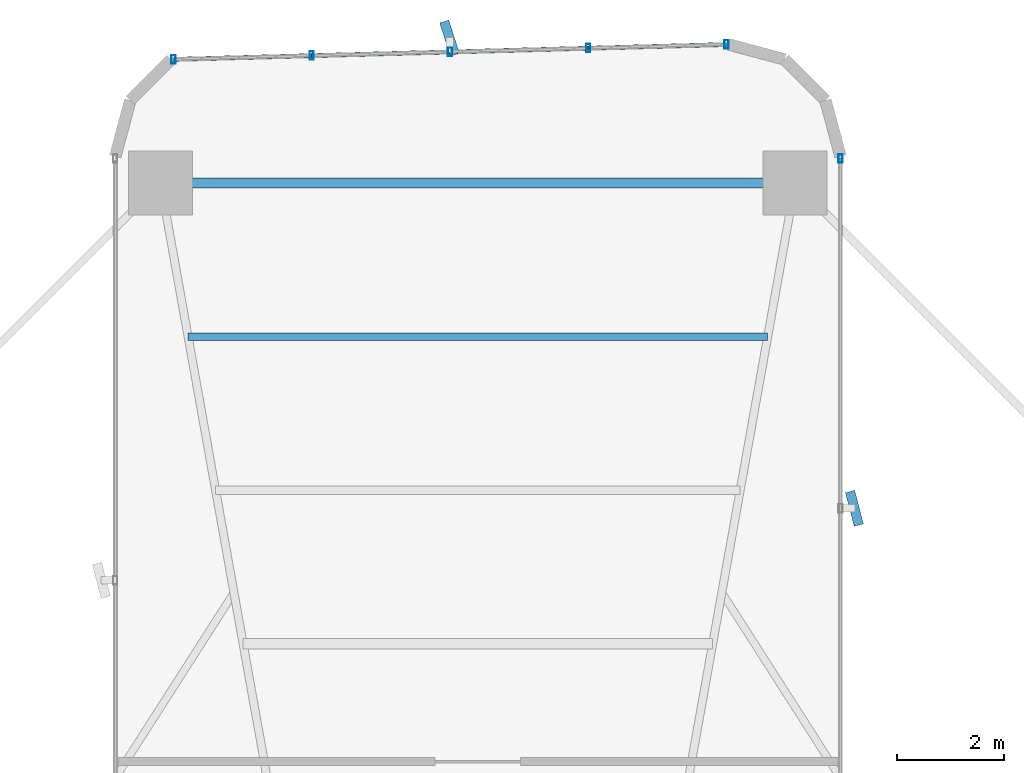
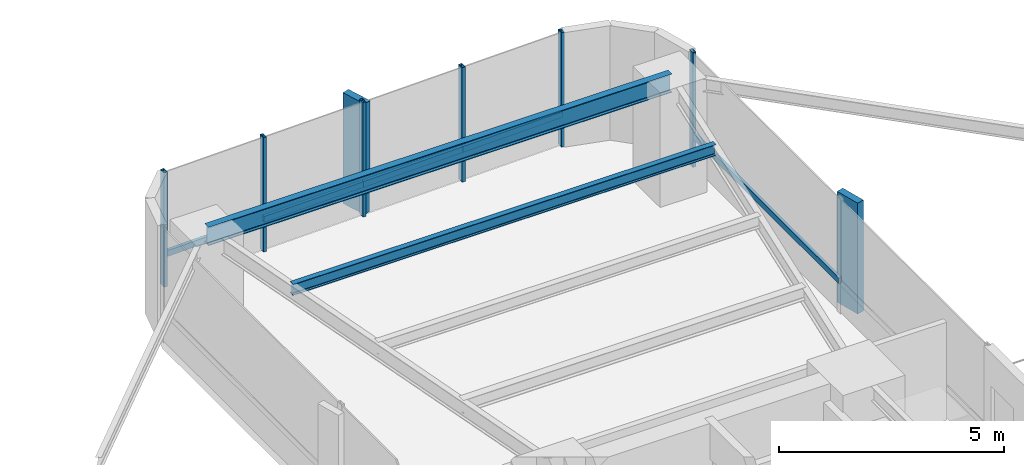
# One storey, part 19 of 25: 13 members, 2 beams, 2 elements without a shape of their own.
"""IFC4 building model written with IfcOpenShell, lengths in metres."""

from ifc_helpers import new_model, si_unit, direction, frame, origin, origin_2d, place, context, subcontext, project, spatial, rectangle, hollow_rectangle, i_section, extrude, source, transform, mapped, material, material_profile, profile_set, type_object, element, aggregate, save


model = new_model("IFC4")

# Units and contexts
model_context = context("Model", 3, precision=1e-05, world=origin(), true_north=direction((0.0, 1.0)))
body_context = subcontext(model_context, "Body", "Model", "MODEL_VIEW")
ifc_project = project(units=[si_unit("LENGTHUNIT", "METRE"), si_unit("AREAUNIT", "SQUARE_METRE"), si_unit("VOLUMEUNIT", "CUBIC_METRE"), si_unit("PLANEANGLEUNIT", "RADIAN"), si_unit("MASSUNIT", "GRAM", prefix="KILO")], contexts=[model_context])

# Site, building, storey
site_placement = place(None, origin())
site = spatial("IfcSite", under=ifc_project, at=site_placement, CompositionType="ELEMENT")
building_placement = place(site_placement, origin())
building = spatial("IfcBuilding", under=site, at=building_placement, Name="Sahyath Konkavel Grand Hotel", CompositionType="ELEMENT")
storey_placement = place(building_placement, frame((0.0, 0.0, 57.75)))
storey = spatial("IfcBuildingStorey", under=building, at=storey_placement, Name="L15", CompositionType="ELEMENT", Elevation=57.75)

# Beams
ifc_material_1 = material(Name="Steel E350", Category="steel")
ifc_material_profile_1 = material_profile(ifc_material_1, i_section(OverallWidth=0.179931640625, OverallDepth=0.5, WebThickness=0.01025390625, FlangeThickness=0.01708984375, FilletRadius=0.01708984375, at=origin_2d()), Name="ISMB 500")
ifc_profile_set_1 = profile_set([ifc_material_profile_1], Name="Steel E350")
beam_type_1 = type_object("IfcBeamType", Name="BM-ISMB500", PredefinedType="BEAM", material=ifc_profile_set_1)
shared_shape_1 = source(origin(), body_context, "Body", "SweptSolid", [
    extrude(i_section(OverallWidth=0.179931640625, OverallDepth=0.5, WebThickness=0.01025390625, FlangeThickness=0.01708984375, FilletRadius=0.01708984375, at=origin_2d()), origin(), (0.0, 0.0, 1.0), 11.89990234375),
])
beam_1_placement = place(storey_placement, frame((5.949951171875, 22.199951171875, 2.860107421875), z_axis=(-1.0, 0.0, 0.0), x_axis=(0.0, -1.0, 0.0)))
element("IfcBeam", 1, at=beam_1_placement, inside=storey, type_object=beam_type_1, Name="L15 Wing Tip Edge Beam N", PredefinedType="BEAM", context=body_context, shape_type="MappedRepresentation", body=[
    mapped(shared_shape_1, transform((0.0, 0.0, 0.0), scale=1.0)),
])
ifc_material_profile_2 = material_profile(ifc_material_1, i_section(OverallWidth=0.139892578125, OverallDepth=0.300048828125, WebThickness=0.0078125, FlangeThickness=0.01318359375, FilletRadius=0.013916015625, at=origin_2d()), Name="ISMB 300")
ifc_profile_set_2 = profile_set([ifc_material_profile_2], Name="Steel E350")
beam_type_2 = type_object("IfcBeamType", Name="BM-ISMB300", PredefinedType="BEAM", material=ifc_profile_set_2)
shared_shape_2 = source(origin(), body_context, "Body", "SweptSolid", [
    extrude(i_section(OverallWidth=0.139892578125, OverallDepth=0.300048828125, WebThickness=0.0078125, FlangeThickness=0.01318359375, FilletRadius=0.013916015625, at=origin_2d()), origin(), (0.0, 0.0, 1.0), 10.8681640625),
])
beam_2_placement = place(storey_placement, frame((5.43408203125, 19.320068359375, 2.9599609375), z_axis=(-1.0, 0.0, 0.0), x_axis=(0.0, -1.0, 0.0)))
element("IfcBeam", 2, at=beam_2_placement, inside=storey, type_object=beam_type_2, Name="L15 Secondary Floor Beam N-3", PredefinedType="BEAM", context=body_context, shape_type="MappedRepresentation", body=[
    mapped(shared_shape_2, transform((0.0, 0.0, 0.0), scale=1.0)),
])

# Curtain wall, member
ifc_material_2 = material(Name="Anodised Bronze Aluminium & Low-E Glazing", Category="aluminium")
curtain_wall_type = type_object("IfcCurtainWallType", Name="CW-ZONE1", PredefinedType="NOTDEFINED", material=ifc_material_2)
curtain_wall_1_placement = place(storey_placement, origin())
curtain_wall_1 = element("IfcCurtainWall", 3, at=curtain_wall_1_placement, inside=storey, type_object=curtain_wall_type, Name="L15 Unitised Curtain Wall F8", PredefinedType="NOTDEFINED")
ifc_material_3 = material(Name="Warm Buff Sandstone Cladding on Concrete C50/60", Category="masonry")
ifc_material_profile_3 = material_profile(ifc_material_3, rectangle(XDim=0.179931640625, YDim=0.64990234375, at=origin_2d()), Name="FIN 180x650")
ifc_profile_set_3 = profile_set([ifc_material_profile_3], Name="Warm Buff Sandstone Cladding on Concrete C50/60")
member_type_1 = type_object("IfcMemberType", Name="FIN-SANDSTONE-650", PredefinedType="MULLION", material=ifc_profile_set_3)
shared_shape_3 = source(origin(), body_context, "Body", "SweptSolid", [
    extrude(rectangle(XDim=0.179931640625, YDim=0.64990234375, at=origin_2d()), origin(), (0.0, 0.0, 1.0), 3.010009765625),
])
member_1_placement = place(storey_placement, frame((7.06005859375, 16.10009765625, 0.050048828125), z_axis=(0.0, 0.0, 1.0), x_axis=(0.967884912253, 0.251393708421, 0.0)))
member_1 = element("IfcMember", 4, at=member_1_placement, type_object=member_type_1, Name="L15 Sandstone Vertical Solar Fin FIN F8-1", PredefinedType="MULLION", context=body_context, shape_type="MappedRepresentation", body=[
    mapped(shared_shape_3, transform((0.0, 0.0, 0.0), scale=1.0)),
])

# Curtain wall, members
curtain_wall_2_placement = place(storey_placement, origin())
curtain_wall_2 = element("IfcCurtainWall", 5, at=curtain_wall_2_placement, inside=storey, type_object=curtain_wall_type, Name="L15 Unitised Curtain Wall F12", PredefinedType="NOTDEFINED")
member_2_placement = place(storey_placement, frame((-0.531982421875, 24.919189453125, 0.050048828125), z_axis=(0.0, 0.0, 1.0), x_axis=(0.952236042525, 0.30536293049, 0.0)))
member_2 = element("IfcMember", 6, at=member_2_placement, type_object=member_type_1, Name="L15 Sandstone Vertical Solar Fin FIN F12-2", PredefinedType="MULLION", context=body_context, shape_type="MappedRepresentation", body=[
    mapped(shared_shape_3, transform((0.0, 0.0, 0.0), scale=1.0)),
])
ifc_material_4 = material(Name="Anodised Bronze Aluminium", Category="aluminium")
ifc_material_profile_4 = material_profile(ifc_material_4, hollow_rectangle(XDim=0.080078125, YDim=0.159912109375, WallThickness=0.006103515625, at=origin_2d()), Name="RHS 160x80x6")
ifc_profile_set_4 = profile_set([ifc_material_profile_4], Name="Anodised Bronze Aluminium")
member_type_2 = type_object("IfcMemberType", Name="CW-TRN-160", PredefinedType="USERDEFINED", material=ifc_profile_set_4)
shared_shape_4 = source(origin(), body_context, "Body", "SweptSolid", [
    extrude(hollow_rectangle(XDim=0.080078125, YDim=0.159912109375, WallThickness=0.006103515625, at=origin_2d()), origin(), (0.0, 0.0, 1.0), 2.593505859375),
])
member_3_placement = place(storey_placement, frame((4.659912109375, 24.798828125, 0.85009765625), z_axis=(-0.999637507825, -0.026923093252, 0.0), x_axis=(0.026923093252, -0.999637507825, 0.0)))
member_3 = element("IfcMember", 7, at=member_3_placement, type_object=member_type_2, Name="L15 Curtain Wall Transom F12-0-spandrel", ObjectType="TRANSOM", PredefinedType="USERDEFINED", context=body_context, shape_type="MappedRepresentation", body=[
    mapped(shared_shape_4, transform((0.0, 0.0, 0.0), scale=1.0)),
])
member_4_placement = place(storey_placement, frame((-0.52490234375, 24.6591796875, 0.85009765625), z_axis=(-0.999640036937, -0.02682902444, 0.0), x_axis=(0.02682902444, -0.999640036937, 0.0)))
member_4 = element("IfcMember", 8, at=member_4_placement, type_object=member_type_2, Name="L15 Curtain Wall Transom F12-2-spandrel", ObjectType="TRANSOM", PredefinedType="USERDEFINED", context=body_context, shape_type="MappedRepresentation", body=[
    mapped(shared_shape_4, transform((0.0, 0.0, 0.0), scale=1.0)),
])
member_5_placement = place(storey_placement, frame((-3.117431640625, 24.589599609375, 0.85009765625), z_axis=(-0.999637507825, -0.026923093252, 0.0), x_axis=(0.026923093252, -0.999637507825, 0.0)))
member_5 = element("IfcMember", 9, at=member_5_placement, type_object=member_type_2, Name="L15 Curtain Wall Transom F12-3-spandrel", ObjectType="TRANSOM", PredefinedType="USERDEFINED", context=body_context, shape_type="MappedRepresentation", body=[
    mapped(shared_shape_4, transform((0.0, 0.0, 0.0), scale=1.0)),
])
shared_shape_5 = source(origin(), body_context, "Body", "SweptSolid", [
    extrude(hollow_rectangle(XDim=0.080078125, YDim=0.159912109375, WallThickness=0.006103515625, at=origin_2d()), origin(), (0.0, 0.0, 1.0), 2.59326171875),
])
member_6_placement = place(storey_placement, frame((2.0673828125, 24.72900390625, 0.85009765625), z_axis=(-0.99963743958, -0.026925627022, 0.0), x_axis=(0.026925627022, -0.99963743958, 0.0)))
member_6 = element("IfcMember", 10, at=member_6_placement, type_object=member_type_2, Name="L15 Curtain Wall Transom F12-1-spandrel", ObjectType="TRANSOM", PredefinedType="USERDEFINED", context=body_context, shape_type="MappedRepresentation", body=[
    mapped(shared_shape_5, transform((0.0, 0.0, 0.0), scale=1.0)),
])

# Member
ifc_material_profile_5 = material_profile(ifc_material_4, hollow_rectangle(XDim=0.080078125, YDim=0.159912109375, WallThickness=0.006103515625, at=origin_2d()), Name="RHS 160x80x6")
ifc_profile_set_5 = profile_set([ifc_material_profile_5], Name="Anodised Bronze Aluminium")
member_type_3 = type_object("IfcMemberType", Name="CW-MUL-160", PredefinedType="MULLION", material=ifc_profile_set_5)
shared_shape_6 = source(origin(), body_context, "Body", "SweptSolid", [
    extrude(hollow_rectangle(XDim=0.080078125, YDim=0.159912109375, WallThickness=0.006103515625, at=origin_2d()), origin(), (0.0, 0.0, 1.0), 3.110107421875),
])
member_7_placement = place(storey_placement, frame((6.800048828125, 22.659912109375, 0.0), z_axis=(0.0, 0.0, 1.0), x_axis=(1.0, 0.0, 0.0)))
member_7 = element("IfcMember", 11, at=member_7_placement, type_object=member_type_3, Name="L15 Curtain Wall Mullion F8-2", PredefinedType="MULLION", context=body_context, shape_type="MappedRepresentation", body=[
    mapped(shared_shape_6, transform((0.0, 0.0, 0.0), scale=1.0)),
])

member_8_placement = place(storey_placement, frame((4.659912109375, 24.798828125, 0.0), z_axis=(0.0, 0.0, 1.0), x_axis=(1.0, 0.0, 0.0)))
member_8 = element("IfcMember", 12, at=member_8_placement, type_object=member_type_3, Name="L15 Curtain Wall Mullion F12-0", PredefinedType="MULLION", context=body_context, shape_type="MappedRepresentation", body=[
    mapped(shared_shape_6, transform((0.0, 0.0, 0.0), scale=1.0)),
])

member_9_placement = place(storey_placement, frame((2.0673828125, 24.72900390625, 0.0), z_axis=(0.0, 0.0, 1.0), x_axis=(1.0, 0.0, 0.0)))
member_9 = element("IfcMember", 13, at=member_9_placement, type_object=member_type_3, Name="L15 Curtain Wall Mullion F12-1", PredefinedType="MULLION", context=body_context, shape_type="MappedRepresentation", body=[
    mapped(shared_shape_6, transform((0.0, 0.0, 0.0), scale=1.0)),
])

member_10_placement = place(storey_placement, frame((-0.52490234375, 24.6591796875, 0.0), z_axis=(0.0, 0.0, 1.0), x_axis=(1.0, 0.0, 0.0)))
member_10 = element("IfcMember", 14, at=member_10_placement, type_object=member_type_3, Name="L15 Curtain Wall Mullion F12-2", PredefinedType="MULLION", context=body_context, shape_type="MappedRepresentation", body=[
    mapped(shared_shape_6, transform((0.0, 0.0, 0.0), scale=1.0)),
])

member_11_placement = place(storey_placement, frame((-3.117431640625, 24.589599609375, 0.0), z_axis=(0.0, 0.0, 1.0), x_axis=(1.0, 0.0, 0.0)))
member_11 = element("IfcMember", 15, at=member_11_placement, type_object=member_type_3, Name="L15 Curtain Wall Mullion F12-3", PredefinedType="MULLION", context=body_context, shape_type="MappedRepresentation", body=[
    mapped(shared_shape_6, transform((0.0, 0.0, 0.0), scale=1.0)),
])

member_12_placement = place(storey_placement, frame((-5.7099609375, 24.519775390625, 0.0), z_axis=(0.0, 0.0, 1.0), x_axis=(1.0, 0.0, 0.0)))
member_12 = element("IfcMember", 16, at=member_12_placement, type_object=member_type_3, Name="L15 Curtain Wall Mullion F12-4", PredefinedType="MULLION", context=body_context, shape_type="MappedRepresentation", body=[
    mapped(shared_shape_6, transform((0.0, 0.0, 0.0), scale=1.0)),
])

aggregate(curtain_wall_2, [member_8, member_9, member_10, member_2, member_11, member_12, member_3, member_6, member_4, member_5])

shared_shape_7 = source(origin(), body_context, "Body", "SweptSolid", [
    extrude(hollow_rectangle(XDim=0.080078125, YDim=0.159912109375, WallThickness=0.006103515625, at=origin_2d()), origin(), (0.0, 0.0, 1.0), 6.559814453125),
])
member_13_placement = place(storey_placement, frame((6.800048828125, 16.10009765625, 0.85009765625), z_axis=(0.0, 1.0, 0.0), x_axis=(-1.0, 0.0, 0.0)))
member_13 = element("IfcMember", 17, at=member_13_placement, type_object=member_type_2, Name="L15 Curtain Wall Transom F8-1-spandrel", ObjectType="TRANSOM", PredefinedType="USERDEFINED", context=body_context, shape_type="MappedRepresentation", body=[
    mapped(shared_shape_7, transform((0.0, 0.0, 0.0), scale=1.0)),
])

aggregate(curtain_wall_1, [member_1, member_7, member_13])

save(model, "model.ifc")
